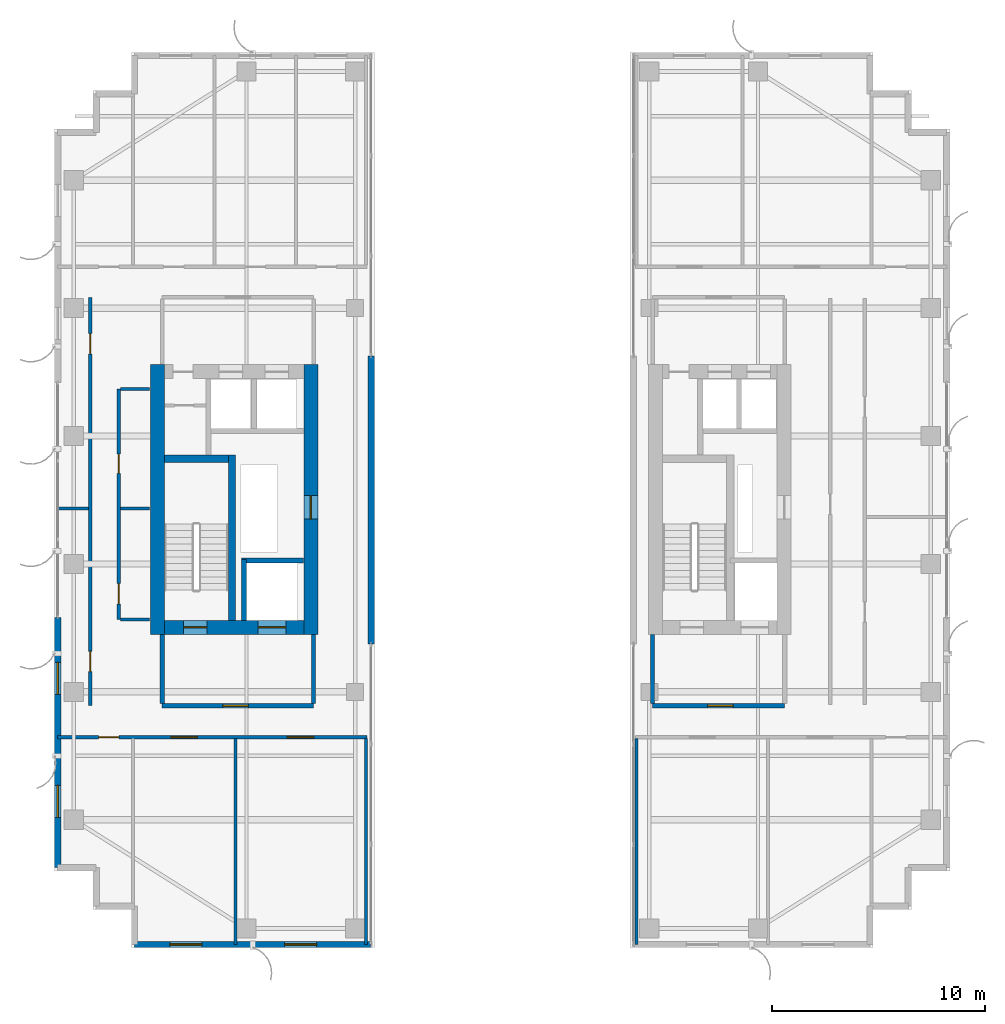
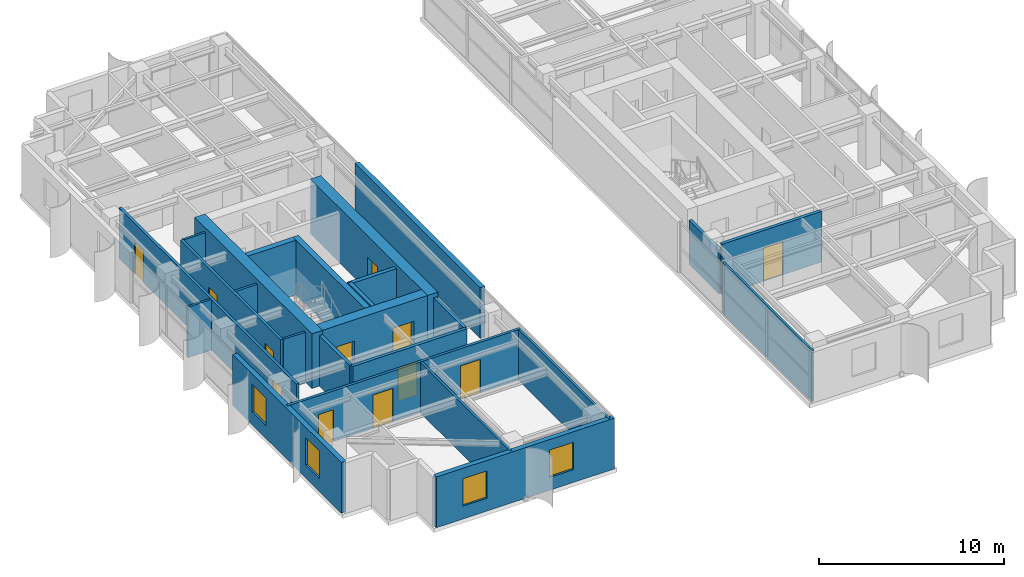
# One storey, part 16 of 22: 25 walls, 12 doors, 4 windows, 16 openings.
"""IFC4 building model written with IfcOpenShell, lengths in metres."""

from ifc_helpers import new_model, si_unit, direction, frame, frame_2d, origin, place, context, subcontext, project, spatial, rectangle, extrude, source, transform, mapped, material, layer, layer_set, type_object, element, fill, save


model = new_model("IFC4")

# Units and contexts
model_context = context("Model", 3, precision=1e-05, world=origin(), true_north=direction((0.0, 1.0)))
body_context = subcontext(model_context, "Body", "Model", "MODEL_VIEW")
ifc_project = project(units=[si_unit("LENGTHUNIT", "METRE"), si_unit("AREAUNIT", "SQUARE_METRE"), si_unit("VOLUMEUNIT", "CUBIC_METRE"), si_unit("PLANEANGLEUNIT", "RADIAN"), si_unit("MASSUNIT", "GRAM", prefix="KILO")], contexts=[model_context])

# Site, building, storey
site_placement = place(None, origin())
site = spatial("IfcSite", under=ifc_project, at=site_placement, CompositionType="ELEMENT")
building_placement = place(site_placement, origin())
building = spatial("IfcBuilding", under=site, at=building_placement, Name="Khoralis Quay Care Tower", CompositionType="ELEMENT")
storey_placement = place(building_placement, frame((0.0, 0.0, 202.5)))
storey = spatial("IfcBuildingStorey", under=building, at=storey_placement, Name="L53", CompositionType="ELEMENT", Elevation=202.5)

# Wall, opening, door
ifc_material_1 = material(Name="Gypsum plasterboard on acoustic metal stud")
ifc_layer_1 = layer(ifc_material_1, 0.199951171875)
ifc_layer_set_1 = layer_set([ifc_layer_1], Name="Gypsum plasterboard on acoustic metal stud")
wall_type_1 = type_object("IfcWallType", Name="WL-COMP-200", PredefinedType="PARTITIONING", material=ifc_layer_set_1)
wall_1_placement = place(storey_placement, frame((8.050048828125, 11.35009765625, 0.0), z_axis=(0.0, 0.0, 1.0), x_axis=(1.0, 0.0, 0.0)))
wall_1 = element("IfcWall", 1, at=wall_1_placement, inside=storey, type_object=wall_type_1, Name="L53 West Firefighting Lobby South Wall", PredefinedType="PARTITIONING", context=body_context, shape_type="SweptSolid", body=[
    extrude(rectangle(XDim=7.099853515625, YDim=0.199951171875, at=frame_2d((3.5498046875, 0.0))), origin(), (0.0, 0.0, 1.0), 3.340087890625),
])
opening_1_placement = place(wall_1_placement, frame((2.846435546875, 0.0, 0.0)))
opening_1 = element("IfcOpeningElement", 2, at=opening_1_placement, cuts=wall_1, Name="Opening FD1", PredefinedType="OPENING", context=body_context, shape_type="SweptSolid", body=[
    extrude(rectangle(XDim=1.199951171875, YDim=2.199951171875, at=frame_2d((0.60009765625, 1.10009765625))), frame((0.0, 0.10986328125, 0.0), z_axis=(0.0, -1.0, 0.0), x_axis=(1.0, 0.0, 0.0)), (0.0, 0.0, 1.0), 0.219970703125),
])
ifc_material_2 = material(Name="Fire-rated painted steel", Category="steel")
door_type_1 = type_object("IfcDoorType", Name="DR-FFL-1200X2200", OperationType="NOTDEFINED", PredefinedType="DOOR", material=ifc_material_2)
shared_shape_1 = source(origin(), body_context, "Body", "SweptSolid", [
    extrude(rectangle(XDim=1.199951171875, YDim=2.199951171875, at=frame_2d((0.60009765625, 1.10009765625))), frame((0.0, 0.02490234375, 0.0), z_axis=(0.0, -1.0, 0.0), x_axis=(1.0, 0.0, 0.0)), (0.0, 0.0, 1.0), 0.050048828125),
])
door_1_placement = place(opening_1_placement, origin())
door_1 = element("IfcDoor", 3, at=door_1_placement, inside=storey, type_object=door_type_1, Name="L53 West Firefighting Lobby Fire Door", OperationType="SINGLE_SWING_LEFT", OverallHeight=2.199951171875, OverallWidth=1.199951171875, PredefinedType="DOOR", context=body_context, shape_type="MappedRepresentation", body=[
    mapped(shared_shape_1, transform((0.0, 0.0, 0.0), scale=1.0)),
])
fill(opening_1, door_1)

# Walls
for number, where, z_axis, x_axis, name in (
    (4, (8.050048828125, 11.445068359375, 0.0), (0.0, 0.0, 1.0), (0.0, 1.0, 0.0), "L53 West Firefighting Lobby West Wall"),
    (5, (15.14990234375, 11.445068359375, 0.0), (0.0, 0.0, 1.0), (0.0, 1.0, 0.0), "L53 West Firefighting Lobby East Wall"),
):
    element("IfcWall", number, at=place(storey_placement, frame(where, z_axis=z_axis, x_axis=x_axis)), inside=storey, type_object=wall_type_1, Name=name, PredefinedType="PARTITIONING", context=body_context, shape_type="SweptSolid", body=[
        extrude(rectangle(XDim=3.23486328125, YDim=0.199951171875, at=frame_2d((1.617431640625, 0.0))), origin(), (0.0, 0.0, 1.0), 3.340087890625),
    ])

# Wall, opening, door
wall_2_placement = place(storey_placement, frame((31.050048828125, 11.35009765625, 0.0), z_axis=(0.0, 0.0, 1.0), x_axis=(1.0, 0.0, 0.0)))
wall_2 = element("IfcWall", 6, at=wall_2_placement, inside=storey, type_object=wall_type_1, Name="L53 East Firefighting Lobby South Wall", PredefinedType="PARTITIONING", context=body_context, shape_type="SweptSolid", body=[
    extrude(rectangle(XDim=6.199951171875, YDim=0.199951171875, at=frame_2d((3.10009765625, 0.0))), origin(), (0.0, 0.0, 1.0), 3.340087890625),
])
opening_2_placement = place(wall_2_placement, frame((2.585693359375, 0.0, 0.0)))
opening_2 = element("IfcOpeningElement", 7, at=opening_2_placement, cuts=wall_2, Name="Opening FD1", PredefinedType="OPENING", context=body_context, shape_type="SweptSolid", body=[
    extrude(rectangle(XDim=1.199951171875, YDim=2.199951171875, at=frame_2d((0.60009765625, 1.10009765625))), frame((0.0, 0.10986328125, 0.0), z_axis=(0.0, -1.0, 0.0), x_axis=(1.0, 0.0, 0.0)), (0.0, 0.0, 1.0), 0.219970703125),
])
door_2_placement = place(opening_2_placement, origin())
door_2 = element("IfcDoor", 8, at=door_2_placement, inside=storey, type_object=door_type_1, Name="L53 East Firefighting Lobby Fire Door", OperationType="SINGLE_SWING_RIGHT", OverallHeight=2.199951171875, OverallWidth=1.199951171875, PredefinedType="DOOR", context=body_context, shape_type="MappedRepresentation", body=[
    mapped(shared_shape_1, transform((0.0, 0.0, 0.0), scale=1.0)),
])
fill(opening_2, door_2)

# Walls
wall_3_placement = place(storey_placement, frame((31.050048828125, 11.445068359375, 0.0), z_axis=(0.0, 0.0, 1.0), x_axis=(0.0, 1.0, 0.0)))
element("IfcWall", 9, at=wall_3_placement, inside=storey, type_object=wall_type_1, Name="L53 East Firefighting Lobby West Wall", PredefinedType="PARTITIONING", context=body_context, shape_type="SweptSolid", body=[
    extrude(rectangle(XDim=3.23486328125, YDim=0.199951171875, at=frame_2d((1.617431640625, 0.0))), origin(), (0.0, 0.0, 1.0), 2.881103515625),
])
ifc_material_3 = material(Name="Concrete C65/80", Category="concrete")
ifc_layer_2 = layer(ifc_material_3, 0.64990234375)
ifc_layer_set_2 = layer_set([ifc_layer_2], Name="Concrete C65/80")
wall_type_2 = type_object("IfcWallType", Name="WL-CORE-650", PredefinedType="SHEAR", material=ifc_layer_set_2)
wall_4_placement = place(storey_placement, frame((7.824951171875, 14.699951171875, 0.0), z_axis=(0.0, 0.0, 1.0), x_axis=(0.0, 1.0, 0.0)))
element("IfcWall", 10, at=wall_4_placement, inside=storey, type_object=wall_type_2, Name="L53 WCORE West Shear Wall", PredefinedType="SHEAR", context=body_context, shape_type="SweptSolid", body=[
    extrude(rectangle(XDim=12.650146484375, YDim=0.64990234375, at=frame_2d((6.3251953125, 0.0))), origin(), (0.0, 0.0, 1.0), 3.60009765625),
])

# Wall, opening, door
wall_5_placement = place(storey_placement, frame((15.02490234375, 14.699951171875, 0.0), z_axis=(0.0, 0.0, 1.0), x_axis=(0.0, 1.0, 0.0)))
wall_5 = element("IfcWall", 11, at=wall_5_placement, inside=storey, type_object=wall_type_2, Name="L53 WCORE East Shear Wall", PredefinedType="SHEAR", context=body_context, shape_type="SweptSolid", body=[
    extrude(rectangle(XDim=12.650146484375, YDim=0.64990234375, at=frame_2d((6.3251953125, 0.0))), origin(), (0.0, 0.0, 1.0), 3.60009765625),
])
opening_3_placement = place(wall_5_placement, frame((5.39990234375, 0.0, 0.0)))
opening_3 = element("IfcOpeningElement", 12, at=opening_3_placement, cuts=wall_5, Name="Opening SD1", PredefinedType="OPENING", context=body_context, shape_type="SweptSolid", body=[
    extrude(rectangle(XDim=1.10009765625, YDim=2.199951171875, at=frame_2d((0.550048828125, 1.10009765625))), frame((0.0, 0.3349609375, 0.0), z_axis=(0.0, -1.0, 0.0), x_axis=(1.0, 0.0, 0.0)), (0.0, 0.0, 1.0), 0.669921875),
])
door_type_2 = type_object("IfcDoorType", Name="DR-STAIR-1100X2200", OperationType="NOTDEFINED", PredefinedType="DOOR", material=ifc_material_2)
shared_shape_2 = source(origin(), body_context, "Body", "SweptSolid", [
    extrude(rectangle(XDim=1.10009765625, YDim=2.199951171875, at=frame_2d((0.550048828125, 1.10009765625))), frame((0.0, 0.02490234375, 0.0), z_axis=(0.0, -1.0, 0.0), x_axis=(1.0, 0.0, 0.0)), (0.0, 0.0, 1.0), 0.050048828125),
])
door_3_placement = place(opening_3_placement, origin())
door_3 = element("IfcDoor", 13, at=door_3_placement, inside=storey, type_object=door_type_2, Name="L53 West MEP Riser Door", OperationType="SINGLE_SWING_LEFT", OverallHeight=2.199951171875, OverallWidth=1.10009765625, PredefinedType="DOOR", context=body_context, shape_type="MappedRepresentation", body=[
    mapped(shared_shape_2, transform((0.0, 0.0, 0.0), scale=1.0)),
])
fill(opening_3, door_3)

# Wall, openings, doors
wall_6_placement = place(storey_placement, frame((8.14990234375, 15.02490234375, 0.0), z_axis=(0.0, 0.0, 1.0), x_axis=(1.0, 0.0, 0.0)))
wall_6 = element("IfcWall", 14, at=wall_6_placement, inside=storey, type_object=wall_type_2, Name="L53 WCORE South Shear Wall", PredefinedType="SHEAR", context=body_context, shape_type="SweptSolid", body=[
    extrude(rectangle(XDim=6.550048828125, YDim=0.64990234375, at=frame_2d((3.27490234375, 0.0))), origin(), (0.0, 0.0, 1.0), 3.60009765625),
])
opening_4_placement = place(wall_6_placement, frame((0.89990234375, 0.0, 0.0)))
opening_4 = element("IfcOpeningElement", 15, at=opening_4_placement, cuts=wall_6, Name="Opening SD1", PredefinedType="OPENING", context=body_context, shape_type="SweptSolid", body=[
    extrude(rectangle(XDim=1.10009765625, YDim=2.199951171875, at=frame_2d((0.550048828125, 1.10009765625))), frame((0.0, 0.3349609375, 0.0), z_axis=(0.0, -1.0, 0.0), x_axis=(1.0, 0.0, 0.0)), (0.0, 0.0, 1.0), 0.669921875),
])
opening_5_placement = place(wall_6_placement, frame((4.39990234375, 0.0, 0.0)))
opening_5 = element("IfcOpeningElement", 16, at=opening_5_placement, cuts=wall_6, Name="Opening LD2", PredefinedType="OPENING", context=body_context, shape_type="SweptSolid", body=[
    extrude(rectangle(XDim=1.300048828125, YDim=2.199951171875, at=frame_2d((0.64990234375, 1.10009765625))), frame((0.0, 0.3349609375, 0.0), z_axis=(0.0, -1.0, 0.0), x_axis=(1.0, 0.0, 0.0)), (0.0, 0.0, 1.0), 0.669921875),
])
door_4_placement = place(opening_4_placement, origin())
door_4 = element("IfcDoor", 17, at=door_4_placement, inside=storey, type_object=door_type_2, Name="L53 Stair ST-T1 Fire Door", OperationType="SINGLE_SWING_LEFT", OverallHeight=2.199951171875, OverallWidth=1.10009765625, PredefinedType="DOOR", context=body_context, shape_type="MappedRepresentation", body=[
    mapped(shared_shape_2, transform((0.0, 0.0, 0.0), scale=1.0)),
])
fill(opening_4, door_4)
ifc_material_4 = material(Name="Brushed stainless steel", Category="steel")
door_type_3 = type_object("IfcDoorType", Name="DR-LIFT-1300X2200", OperationType="SLIDING_TO_RIGHT", PredefinedType="DOOR", material=ifc_material_4)
shared_shape_3 = source(origin(), body_context, "Body", "SweptSolid", [
    extrude(rectangle(XDim=1.300048828125, YDim=2.199951171875, at=frame_2d((0.64990234375, 1.10009765625))), frame((0.0, 0.02490234375, 0.0), z_axis=(0.0, -1.0, 0.0), x_axis=(1.0, 0.0, 0.0)), (0.0, 0.0, 1.0), 0.050048828125),
])
door_5_placement = place(opening_5_placement, origin())
door_5 = element("IfcDoor", 18, at=door_5_placement, inside=storey, type_object=door_type_3, Name="L53 Firefighting Lift FFL-1 Landing Door", OperationType="SLIDING_TO_RIGHT", OverallHeight=2.199951171875, OverallWidth=1.300048828125, PredefinedType="DOOR", context=body_context, shape_type="MappedRepresentation", body=[
    mapped(shared_shape_3, transform((0.0, 0.0, 0.0), scale=1.0)),
])
fill(opening_5, door_5)

ifc_layer_3 = layer(ifc_material_1, 0.1650390625)
ifc_layer_set_3 = layer_set([ifc_layer_3], Name="Gypsum plasterboard on acoustic metal stud")
wall_type_3 = type_object("IfcWallType", Name="WL-CORR-165", PredefinedType="PARTITIONING", material=ifc_layer_set_3)
wall_7_placement = place(storey_placement, frame((6.02001953125, 15.39990234375, 0.0), z_axis=(0.0, 0.0, 1.0), x_axis=(0.0, 1.0, 0.0)))
wall_7 = element("IfcWall", 19, at=wall_7_placement, inside=storey, type_object=wall_type_3, Name="L53 West Core Service Flank Wall", PredefinedType="PARTITIONING", context=body_context, shape_type="SweptSolid", body=[
    extrude(rectangle(XDim=10.800048828125, YDim=0.1650390625, at=frame_2d((5.39990234375, 0.0))), origin(), (0.0, 0.0, 1.0), 3.340087890625),
])
opening_6_placement = place(wall_7_placement, frame((0.72509765625, 0.0, 0.0)))
opening_6 = element("IfcOpeningElement", 20, at=opening_6_placement, cuts=wall_7, Name="Opening ID1", PredefinedType="OPENING", context=body_context, shape_type="SweptSolid", body=[
    extrude(rectangle(XDim=0.949951171875, YDim=2.10009765625, at=frame_2d((0.47509765625, 1.050048828125))), frame((0.0, 0.092529296875, 0.0), z_axis=(0.0, -1.0, 0.0), x_axis=(1.0, 0.0, 0.0)), (0.0, 0.0, 1.0), 0.18505859375),
])
opening_7_placement = place(wall_7_placement, frame((6.85009765625, 0.0, 0.0)))
opening_7 = element("IfcOpeningElement", 21, at=opening_7_placement, cuts=wall_7, Name="Opening WD1", PredefinedType="OPENING", context=body_context, shape_type="SweptSolid", body=[
    extrude(rectangle(XDim=0.89990234375, YDim=2.10009765625, at=frame_2d((0.449951171875, 1.050048828125))), frame((0.0, 0.092529296875, 0.0), z_axis=(0.0, -1.0, 0.0), x_axis=(1.0, 0.0, 0.0)), (0.0, 0.0, 1.0), 0.18505859375),
])
ifc_material_5 = material(Name="Acoustic hardwood timber", Category="wood")
door_type_4 = type_object("IfcDoorType", Name="DR-BATH-900X2100", OperationType="NOTDEFINED", PredefinedType="DOOR", material=ifc_material_5)
shared_shape_4 = source(origin(), body_context, "Body", "SweptSolid", [
    extrude(rectangle(XDim=0.89990234375, YDim=2.10009765625, at=frame_2d((0.449951171875, 1.050048828125))), frame((0.0, 0.02490234375, 0.0), z_axis=(0.0, -1.0, 0.0), x_axis=(1.0, 0.0, 0.0)), (0.0, 0.0, 1.0), 0.050048828125),
])
door_6_placement = place(opening_7_placement, frame((0.89990234375, 0.0, 0.0), z_axis=(0.0, 0.0, 1.0), x_axis=(-1.0, 0.0, 0.0)))
door_6 = element("IfcDoor", 22, at=door_6_placement, inside=storey, type_object=door_type_4, Name="L53 Public Accessible WC Door", OperationType="SINGLE_SWING_LEFT", OverallHeight=2.10009765625, OverallWidth=0.89990234375, PredefinedType="DOOR", context=body_context, shape_type="MappedRepresentation", body=[
    mapped(shared_shape_4, transform((0.0, 0.0, 0.0), scale=1.0)),
])
fill(opening_7, door_6)
door_type_5 = type_object("IfcDoorType", Name="DR-ROOM-950X2100", OperationType="NOTDEFINED", PredefinedType="DOOR", material=ifc_material_5)
shared_shape_5 = source(origin(), body_context, "Body", "SweptSolid", [
    extrude(rectangle(XDim=0.949951171875, YDim=2.10009765625, at=frame_2d((0.47509765625, 1.050048828125))), frame((0.0, 0.02490234375, 0.0), z_axis=(0.0, -1.0, 0.0), x_axis=(1.0, 0.0, 0.0)), (0.0, 0.0, 1.0), 0.050048828125),
])
door_7_placement = place(opening_6_placement, frame((0.949951171875, 0.0, 0.0), z_axis=(0.0, 0.0, 1.0), x_axis=(-1.0, 0.0, 0.0)))
door_7 = element("IfcDoor", 23, at=door_7_placement, inside=storey, type_object=door_type_5, Name="L53 Housekeeping Linen Store Door", OperationType="SINGLE_SWING_RIGHT", OverallHeight=2.10009765625, OverallWidth=0.949951171875, PredefinedType="DOOR", context=body_context, shape_type="MappedRepresentation", body=[
    mapped(shared_shape_5, transform((0.0, 0.0, 0.0), scale=1.0)),
])
fill(opening_6, door_7)

wall_8_placement = place(storey_placement, frame((3.14501953125, 9.8798828125, 0.0), z_axis=(0.0, 0.0, 1.0), x_axis=(1.0, 0.0, 0.0)))
wall_8 = element("IfcWall", 24, at=wall_8_placement, inside=storey, type_object=wall_type_3, Name="L53 West Wing South Corridor Wall", PredefinedType="PARTITIONING", context=body_context, shape_type="SweptSolid", body=[
    extrude(rectangle(XDim=14.5048828125, YDim=0.1650390625, at=frame_2d((7.25244140625, 0.0))), origin(), (0.0, 0.0, 1.0), 3.340087890625),
])
opening_8_placement = place(wall_8_placement, frame((5.31005859375, 0.0, 0.0)))
opening_8 = element("IfcOpeningElement", 25, at=opening_8_placement, cuts=wall_8, Name="Opening CD1", PredefinedType="OPENING", context=body_context, shape_type="SweptSolid", body=[
    extrude(rectangle(XDim=1.25, YDim=2.199951171875, at=frame_2d((0.625, 1.10009765625))), frame((0.0, 0.092529296875, 0.0), z_axis=(0.0, -1.0, 0.0), x_axis=(1.0, 0.0, 0.0)), (0.0, 0.0, 1.0), 0.18505859375),
])
opening_9_placement = place(wall_8_placement, frame((10.77001953125, 0.0, 0.0)))
opening_9 = element("IfcOpeningElement", 26, at=opening_9_placement, cuts=wall_8, Name="Opening CD1", PredefinedType="OPENING", context=body_context, shape_type="SweptSolid", body=[
    extrude(rectangle(XDim=1.25, YDim=2.199951171875, at=frame_2d((0.625, 1.10009765625))), frame((0.0, 0.092529296875, 0.0), z_axis=(0.0, -1.0, 0.0), x_axis=(1.0, 0.0, 0.0)), (0.0, 0.0, 1.0), 0.18505859375),
])
opening_10_placement = place(wall_8_placement, frame((1.919921875, 0.0, 0.0)))
opening_10 = element("IfcOpeningElement", 27, at=opening_10_placement, cuts=wall_8, Name="Opening ID1", PredefinedType="OPENING", context=body_context, shape_type="SweptSolid", body=[
    extrude(rectangle(XDim=0.949951171875, YDim=2.10009765625, at=frame_2d((0.47509765625, 1.050048828125))), frame((0.0, 0.092529296875, 0.0), z_axis=(0.0, -1.0, 0.0), x_axis=(1.0, 0.0, 0.0)), (0.0, 0.0, 1.0), 0.18505859375),
])
door_type_6 = type_object("IfcDoorType", Name="DR-CARE-1250X2200", OperationType="NOTDEFINED", PredefinedType="DOOR", material=ifc_material_5)
shared_shape_6 = source(origin(), body_context, "Body", "SweptSolid", [
    extrude(rectangle(XDim=1.25, YDim=2.199951171875, at=frame_2d((0.625, 1.10009765625))), frame((0.0, 0.02490234375, 0.0), z_axis=(0.0, -1.0, 0.0), x_axis=(1.0, 0.0, 0.0)), (0.0, 0.0, 1.0), 0.050048828125),
])
door_8_placement = place(opening_8_placement, frame((1.25, 0.0, 0.0), z_axis=(0.0, 0.0, 1.0), x_axis=(-1.0, 0.0, 0.0)))
door_8 = element("IfcDoor", 28, at=door_8_placement, inside=storey, type_object=door_type_6, Name="L53 Geriatric Consultation Clinic Door", OperationType="SINGLE_SWING_RIGHT", OverallHeight=2.199951171875, OverallWidth=1.25, PredefinedType="DOOR", context=body_context, shape_type="MappedRepresentation", body=[
    mapped(shared_shape_6, transform((0.0, 0.0, 0.0), scale=1.0)),
])
fill(opening_8, door_8)
door_9_placement = place(opening_9_placement, frame((1.25, 0.0, 0.0), z_axis=(0.0, 0.0, 1.0), x_axis=(-1.0, 0.0, 0.0)))
door_9 = element("IfcDoor", 29, at=door_9_placement, inside=storey, type_object=door_type_6, Name="L53 Physiotherapy Treatment Clinic Door", OperationType="SINGLE_SWING_LEFT", OverallHeight=2.199951171875, OverallWidth=1.25, PredefinedType="DOOR", context=body_context, shape_type="MappedRepresentation", body=[
    mapped(shared_shape_6, transform((0.0, 0.0, 0.0), scale=1.0)),
])
fill(opening_9, door_9)
door_10_placement = place(opening_10_placement, frame((0.949951171875, 0.0, 0.0), z_axis=(0.0, 0.0, 1.0), x_axis=(-1.0, 0.0, 0.0)))
door_10 = element("IfcDoor", 30, at=door_10_placement, inside=storey, type_object=door_type_5, Name="L53 SW Corner Door", OperationType="SINGLE_SWING_LEFT", OverallHeight=2.10009765625, OverallWidth=0.949951171875, PredefinedType="DOOR", context=body_context, shape_type="MappedRepresentation", body=[
    mapped(shared_shape_5, transform((0.0, 0.0, 0.0), scale=1.0)),
])
fill(opening_10, door_10)

wall_9_placement = place(storey_placement, frame((4.679931640625, 11.35009765625, 0.0), z_axis=(0.0, 0.0, 1.0), x_axis=(0.0, 1.0, 0.0)))
wall_9 = element("IfcWall", 31, at=wall_9_placement, inside=storey, type_object=wall_type_3, Name="L53 West Mid South Entry Wall", PredefinedType="PARTITIONING", context=body_context, shape_type="SweptSolid", body=[
    extrude(rectangle(XDim=19.14990234375, YDim=0.1650390625, at=frame_2d((9.574951171875, 0.0))), origin(), (0.0, 0.0, 1.0), 3.340087890625),
])
opening_11_placement = place(wall_9_placement, frame((1.60009765625, 0.0, 0.0)))
opening_11 = element("IfcOpeningElement", 32, at=opening_11_placement, cuts=wall_9, Name="Opening ID1", PredefinedType="OPENING", context=body_context, shape_type="SweptSolid", body=[
    extrude(rectangle(XDim=0.949951171875, YDim=2.10009765625, at=frame_2d((0.47509765625, 1.050048828125))), frame((0.0, 0.092529296875, 0.0), z_axis=(0.0, -1.0, 0.0), x_axis=(1.0, 0.0, 0.0)), (0.0, 0.0, 1.0), 0.18505859375),
])
opening_12_placement = place(wall_9_placement, frame((16.5, 0.0, 0.0)))
opening_12 = element("IfcOpeningElement", 33, at=opening_12_placement, cuts=wall_9, Name="Opening ID1", PredefinedType="OPENING", context=body_context, shape_type="SweptSolid", body=[
    extrude(rectangle(XDim=0.949951171875, YDim=2.10009765625, at=frame_2d((0.47509765625, 1.050048828125))), frame((0.0, 0.092529296875, 0.0), z_axis=(0.0, -1.0, 0.0), x_axis=(1.0, 0.0, 0.0)), (0.0, 0.0, 1.0), 0.18505859375),
])
door_11_placement = place(opening_11_placement, frame((0.949951171875, 0.0, 0.0), z_axis=(0.0, 0.0, 1.0), x_axis=(-1.0, 0.0, 0.0)))
door_11 = element("IfcDoor", 34, at=door_11_placement, inside=storey, type_object=door_type_5, Name="L53 West Care Coordinator Office Door", OperationType="SINGLE_SWING_LEFT", OverallHeight=2.10009765625, OverallWidth=0.949951171875, PredefinedType="DOOR", context=body_context, shape_type="MappedRepresentation", body=[
    mapped(shared_shape_5, transform((0.0, 0.0, 0.0), scale=1.0)),
])
fill(opening_11, door_11)
door_12_placement = place(opening_12_placement, frame((0.949951171875, 0.0, 0.0), z_axis=(0.0, 0.0, 1.0), x_axis=(-1.0, 0.0, 0.0)))
door_12 = element("IfcDoor", 35, at=door_12_placement, inside=storey, type_object=door_type_5, Name="L53 West Family Case Seminar Room Door", OperationType="SINGLE_SWING_RIGHT", OverallHeight=2.10009765625, OverallWidth=0.949951171875, PredefinedType="DOOR", context=body_context, shape_type="MappedRepresentation", body=[
    mapped(shared_shape_5, transform((0.0, 0.0, 0.0), scale=1.0)),
])
fill(opening_12, door_12)

# Wall, openings, windows
ifc_material_6 = material(Name="Precast concrete C45/55", Category="concrete")
ifc_layer_4 = layer(ifc_material_6, 0.300048828125)
ifc_layer_set_4 = layer_set([ifc_layer_4], Name="Precast concrete C45/55")
wall_type_4 = type_object("IfcWallType", Name="WL-EXT-REF-300", PredefinedType="SOLIDWALL", material=ifc_layer_set_4)
wall_10_placement = place(storey_placement, frame((6.75, 0.14990234375, 0.0), z_axis=(0.0, 0.0, 1.0), x_axis=(1.0, 0.0, 0.0)))
wall_10 = element("IfcWall", 36, at=wall_10_placement, inside=storey, type_object=wall_type_4, Name="L53 External Facade Wall WL-EXT-L53-P1-E0", PredefinedType="SOLIDWALL", context=body_context, shape_type="SweptSolid", body=[
    extrude(rectangle(XDim=11.10009765625, YDim=0.300048828125, at=frame_2d((5.550048828125, 0.0))), origin(), (0.0, 0.0, 1.0), 3.340087890625),
])
opening_13_placement = place(wall_10_placement, frame((1.6650390625, 0.0, 0.85009765625)))
opening_13 = element("IfcOpeningElement", 37, at=opening_13_placement, cuts=wall_10, Name="Opening W3", PredefinedType="OPENING", context=body_context, shape_type="SweptSolid", body=[
    extrude(rectangle(XDim=1.5, YDim=1.800048828125, at=frame_2d((0.75, 0.89990234375))), frame((0.0, 0.16015625, 0.0), z_axis=(0.0, -1.0, 0.0), x_axis=(1.0, 0.0, 0.0)), (0.0, 0.0, 1.0), 0.320068359375),
])
opening_14_placement = place(wall_10_placement, frame((7.0400390625, 0.0, 0.85009765625)))
opening_14 = element("IfcOpeningElement", 38, at=opening_14_placement, cuts=wall_10, Name="Opening W3", PredefinedType="OPENING", context=body_context, shape_type="SweptSolid", body=[
    extrude(rectangle(XDim=1.5, YDim=1.800048828125, at=frame_2d((0.75, 0.89990234375))), frame((0.0, 0.16015625, 0.0), z_axis=(0.0, -1.0, 0.0), x_axis=(1.0, 0.0, 0.0)), (0.0, 0.0, 1.0), 0.320068359375),
])
ifc_material_7 = material(Name="Low-E solar-control double glazing", Category="glass")
window_type = type_object("IfcWindowType", Name="WN-CLIN-1500X1800", PartitioningType="SINGLE_PANEL", PredefinedType="WINDOW", material=ifc_material_7)
shared_shape_7 = source(origin(), body_context, "Body", "SweptSolid", [
    extrude(rectangle(XDim=1.5, YDim=1.800048828125, at=frame_2d((0.75, 0.89990234375))), frame((0.0, 0.030029296875, 0.0), z_axis=(0.0, -1.0, 0.0), x_axis=(1.0, 0.0, 0.0)), (0.0, 0.0, 1.0), 0.06005859375),
])
window_1_placement = place(opening_13_placement, origin())
window_1 = element("IfcWindow", 39, at=window_1_placement, inside=storey, type_object=window_type, Name="WN-L53-P1-E0 Facade Window 01", OverallHeight=1.800048828125, OverallWidth=1.5, PartitioningType="SINGLE_PANEL", PredefinedType="WINDOW", context=body_context, shape_type="MappedRepresentation", body=[
    mapped(shared_shape_7, transform((0.0, 0.0, 0.0), scale=1.0)),
])
fill(opening_13, window_1)
window_2_placement = place(opening_14_placement, origin())
window_2 = element("IfcWindow", 40, at=window_2_placement, inside=storey, type_object=window_type, Name="WN-L53-P1-E0 Facade Window 02", OverallHeight=1.800048828125, OverallWidth=1.5, PartitioningType="SINGLE_PANEL", PredefinedType="WINDOW", context=body_context, shape_type="MappedRepresentation", body=[
    mapped(shared_shape_7, transform((0.0, 0.0, 0.0), scale=1.0)),
])
fill(opening_14, window_2)

# Wall
wall_11_placement = place(storey_placement, frame((17.85009765625, 14.25, 0.0), z_axis=(0.0, 0.0, 1.0), x_axis=(0.0, 1.0, 0.0)))
element("IfcWall", 41, at=wall_11_placement, inside=storey, type_object=wall_type_4, Name="L53 External Facade Wall WL-VP-L53-P1-M", PredefinedType="SOLIDWALL", context=body_context, shape_type="SweptSolid", body=[
    extrude(rectangle(XDim=13.5, YDim=0.300048828125, at=frame_2d((6.75, 0.0))), origin(), (0.0, 0.0, 1.0), 3.340087890625),
])

# Wall, openings, windows
wall_12_placement = place(storey_placement, frame((3.14990234375, 15.47998046875, 0.0), z_axis=(0.0, 0.0, 1.0), x_axis=(0.0, -1.0, 0.0)))
wall_12 = element("IfcWall", 42, at=wall_12_placement, inside=storey, type_object=wall_type_4, Name="L53 External Facade Wall WL-EXT-L53-P1-E7B", PredefinedType="SOLIDWALL", context=body_context, shape_type="SweptSolid", body=[
    extrude(rectangle(XDim=11.72998046875, YDim=0.300048828125, at=frame_2d((5.864990234375, 0.0))), origin(), (0.0, 0.0, 1.0), 3.340087890625),
])
opening_15_placement = place(wall_12_placement, frame((2.10009765625, 0.0, 0.85009765625)))
opening_15 = element("IfcOpeningElement", 43, at=opening_15_placement, cuts=wall_12, Name="Opening W3", PredefinedType="OPENING", context=body_context, shape_type="SweptSolid", body=[
    extrude(rectangle(XDim=1.5, YDim=1.800048828125, at=frame_2d((0.75, 0.89990234375))), frame((0.0, 0.16015625, 0.0), z_axis=(0.0, -1.0, 0.0), x_axis=(1.0, 0.0, 0.0)), (0.0, 0.0, 1.0), 0.320068359375),
])
opening_16_placement = place(wall_12_placement, frame((7.864990234375, 0.0, 0.85009765625)))
opening_16 = element("IfcOpeningElement", 44, at=opening_16_placement, cuts=wall_12, Name="Opening W3", PredefinedType="OPENING", context=body_context, shape_type="SweptSolid", body=[
    extrude(rectangle(XDim=1.5, YDim=1.800048828125, at=frame_2d((0.75, 0.89990234375))), frame((0.0, 0.16015625, 0.0), z_axis=(0.0, -1.0, 0.0), x_axis=(1.0, 0.0, 0.0)), (0.0, 0.0, 1.0), 0.320068359375),
])
window_3_placement = place(opening_15_placement, origin())
window_3 = element("IfcWindow", 45, at=window_3_placement, inside=storey, type_object=window_type, Name="WN-L53-P1-E7B Facade Window 01", OverallHeight=1.800048828125, OverallWidth=1.5, PartitioningType="SINGLE_PANEL", PredefinedType="WINDOW", context=body_context, shape_type="MappedRepresentation", body=[
    mapped(shared_shape_7, transform((0.0, 0.0, 0.0), scale=1.0)),
])
fill(opening_15, window_3)
window_4_placement = place(opening_16_placement, origin())
window_4 = element("IfcWindow", 46, at=window_4_placement, inside=storey, type_object=window_type, Name="WN-L53-P1-E7B Facade Window 02", OverallHeight=1.800048828125, OverallWidth=1.5, PartitioningType="SINGLE_PANEL", PredefinedType="WINDOW", context=body_context, shape_type="MappedRepresentation", body=[
    mapped(shared_shape_7, transform((0.0, 0.0, 0.0), scale=1.0)),
])
fill(opening_16, window_4)

# Walls
ifc_material_8 = material(Name="Moisture-resistant gypsum and ceramic tile")
ifc_layer_5 = layer(ifc_material_8, 0.280029296875)
ifc_layer_set_5 = layer_set([ifc_layer_5], Name="Moisture-resistant gypsum and ceramic tile")
wall_type_5 = type_object("IfcWallType", Name="WL-PLUMB-280", PredefinedType="PLUMBINGWALL", material=ifc_layer_set_5)
wall_13_placement = place(storey_placement, frame((6.097412109375, 20.60009765625, 0.0), z_axis=(0.0, 0.0, 1.0), x_axis=(1.0, 0.0, 0.0)))
element("IfcWall", 47, at=wall_13_placement, inside=storey, type_object=wall_type_5, Name="L53 West Flank Divider 1", PredefinedType="PLUMBINGWALL", context=body_context, shape_type="SweptSolid", body=[
    extrude(rectangle(XDim=1.362548828125, YDim=0.139892578125, at=frame_2d((0.68115234375, 0.0))), origin(), (0.0, 0.0, 1.0), 3.340087890625),
])
ifc_material_9 = material(Name="Concrete C40/50", Category="concrete")
ifc_layer_6 = layer(ifc_material_9, 0.35009765625)
ifc_layer_set_6 = layer_set([ifc_layer_6], Name="Concrete C40/50")
wall_type_6 = type_object("IfcWallType", Name="WL-SC-CORE-350", PredefinedType="SHEAR", material=ifc_layer_set_6)
wall_14_placement = place(storey_placement, frame((11.324951171875, 15.35009765625, 0.0), z_axis=(0.0, 0.0, 1.0), x_axis=(0.0, 1.0, 0.0)))
element("IfcWall", 48, at=wall_14_placement, inside=storey, type_object=wall_type_6, Name="L53 Stair ST-T1 Shear Baffle Wall East", PredefinedType="SHEAR", context=body_context, shape_type="SweptSolid", body=[
    extrude(rectangle(XDim=7.75, YDim=0.35009765625, at=frame_2d((3.875, 0.0))), origin(), (0.0, 0.0, 1.0), 3.60009765625),
])
wall_15_placement = place(storey_placement, frame((8.14990234375, 22.925048828125, 0.0), z_axis=(0.0, 0.0, 1.0), x_axis=(1.0, 0.0, 0.0)))
element("IfcWall", 49, at=wall_15_placement, inside=storey, type_object=wall_type_6, Name="L53 Stair ST-T1 Shear Baffle Wall North", PredefinedType="SHEAR", context=body_context, shape_type="SweptSolid", body=[
    extrude(rectangle(XDim=3.0, YDim=0.35009765625, at=frame_2d((1.5, 0.0))), origin(), (0.0, 0.0, 1.0), 3.60009765625),
])
ifc_layer_7 = layer(ifc_material_1, 0.239990234375)
ifc_layer_set_7 = layer_set([ifc_layer_7], Name="Gypsum plasterboard on acoustic metal stud")
wall_type_7 = type_object("IfcWallType", Name="WL-SHAFT-240", PredefinedType="PARTITIONING", material=ifc_layer_set_7)
wall_16_placement = place(storey_placement, frame((11.8798828125, 15.35009765625, 0.0), z_axis=(0.0, 0.0, 1.0), x_axis=(0.0, 1.0, 0.0)))
element("IfcWall", 50, at=wall_16_placement, inside=storey, type_object=wall_type_7, Name="L53 FFL-1 Shaft Wall West", PredefinedType="PARTITIONING", context=body_context, shape_type="SweptSolid", body=[
    extrude(rectangle(XDim=2.849853515625, YDim=0.239990234375, at=frame_2d((1.4248046875, 0.0))), origin(), (0.0, 0.0, 1.0), 3.340087890625),
])
wall_17_placement = place(storey_placement, frame((11.760009765625, 18.169921875, 0.0), z_axis=(0.0, 0.0, 1.0), x_axis=(1.0, 0.0, 0.0)))
element("IfcWall", 51, at=wall_17_placement, inside=storey, type_object=wall_type_7, Name="L53 FFL-1 Shaft Wall North", PredefinedType="PARTITIONING", context=body_context, shape_type="SweptSolid", body=[
    extrude(rectangle(XDim=2.919921875, YDim=0.239990234375, at=frame_2d((1.4599609375, 0.0))), origin(), (0.0, 0.0, 1.0), 3.340087890625),
])
ifc_layer_8 = layer(ifc_material_1, 0.139892578125)
ifc_layer_set_8 = layer_set([ifc_layer_8], Name="Gypsum plasterboard on acoustic metal stud")
wall_type_8 = type_object("IfcWallType", Name="WL-UNIT-140", PredefinedType="PARTITIONING", material=ifc_layer_set_8)
for number, where, z_axis, x_axis, name in (
    (52, (6.097412109375, 15.39990234375, 0.0), (0.0, 0.0, 1.0), (1.0, 0.0, 0.0), "L53 West Flank South Cap"),
    (53, (6.097412109375, 26.199951171875, 0.0), (0.0, 0.0, 1.0), (1.0, 0.0, 0.0), "L53 West Flank North Cap"),
):
    element("IfcWall", number, at=place(storey_placement, frame(where, z_axis=z_axis, x_axis=x_axis)), inside=storey, type_object=wall_type_8, Name=name, PredefinedType="PARTITIONING", context=body_context, shape_type="SweptSolid", body=[
        extrude(rectangle(XDim=1.362548828125, YDim=0.139892578125, at=frame_2d((0.68115234375, 0.0))), origin(), (0.0, 0.0, 1.0), 3.340087890625),
    ])
wall_18_placement = place(storey_placement, frame((3.14501953125, 20.60009765625, 0.0), z_axis=(0.0, 0.0, 1.0), x_axis=(1.0, 0.0, 0.0)))
element("IfcWall", 54, at=wall_18_placement, inside=storey, type_object=wall_type_8, Name="L53 West Mid Split", PredefinedType="PARTITIONING", context=body_context, shape_type="SweptSolid", body=[
    extrude(rectangle(XDim=1.45751953125, YDim=0.139892578125, at=frame_2d((0.728759765625, 0.0))), origin(), (0.0, 0.0, 1.0), 3.340087890625),
])
for number, where, z_axis, x_axis, name in (
    (55, (11.47998046875, 0.14501953125, 0.0), (0.0, 0.0, 1.0), (0.0, 1.0, 0.0), "L53 WS Demising Wall 1"),
    (56, (17.60009765625, 0.14501953125, 0.0), (0.0, 0.0, 1.0), (0.0, 1.0, 0.0), "L53 WS Demising Wall 2"),
    (57, (30.300048828125, 0.14501953125, 0.0), (0.0, 0.0, 1.0), (0.0, 1.0, 0.0), "L53 ES Demising Wall 0"),
):
    element("IfcWall", number, at=place(storey_placement, frame(where, z_axis=z_axis, x_axis=x_axis)), inside=storey, type_object=wall_type_8, Name=name, PredefinedType="PARTITIONING", context=body_context, shape_type="SweptSolid", body=[
        extrude(rectangle(XDim=9.657470703125, YDim=0.139892578125, at=frame_2d((4.82861328125, 0.0))), origin(), (0.0, 0.0, 1.0), 3.340087890625),
    ])

save(model, "model.ifc")
